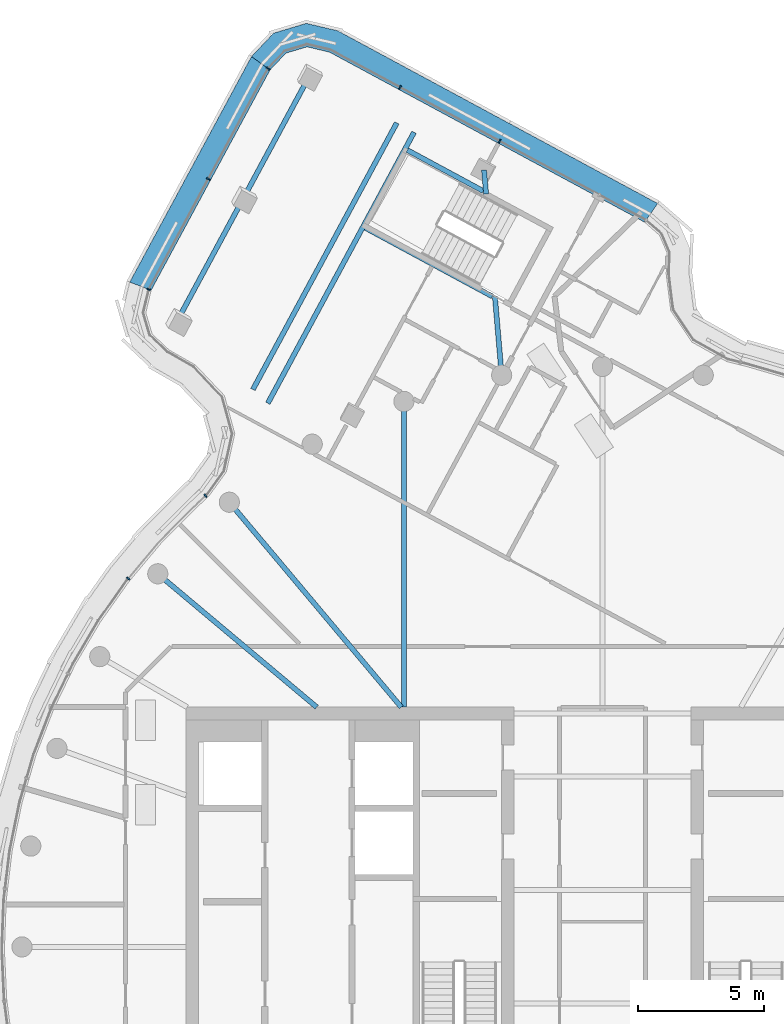
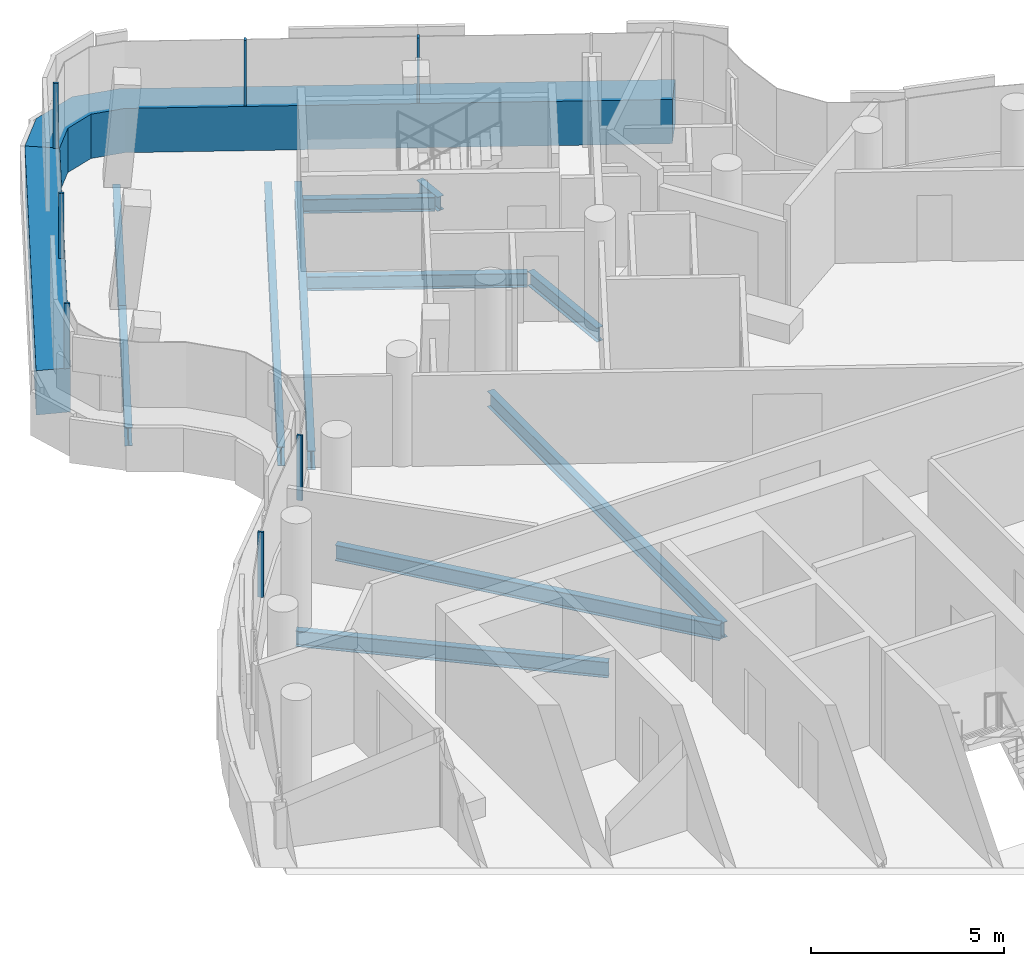
# One storey, part 9 of 22: 11 beams, 9 members, 3 elements without a shape of their own.
"""IFC4 building model written with IfcOpenShell, lengths in metres."""

from ifc_helpers import new_model, si_unit, direction, frame, origin, origin_2d, place, context, subcontext, project, spatial, polyline, rectangle, i_section, outline, extrude, material, layer, layer_set, material_profile, profile_set, type_object, element, aggregate, save


model = new_model("IFC4")

# Units and contexts
model_context = context("Model", 3, precision=1e-05, world=origin(), true_north=direction((0.0, 1.0)))
body_context = subcontext(model_context, "Body", "Model", "MODEL_VIEW")
ifc_project = project(units=[si_unit("LENGTHUNIT", "METRE"), si_unit("AREAUNIT", "SQUARE_METRE"), si_unit("VOLUMEUNIT", "CUBIC_METRE"), si_unit("PLANEANGLEUNIT", "RADIAN"), si_unit("MASSUNIT", "GRAM", prefix="KILO")], contexts=[model_context])

# Site, building, storey
site_placement = place(None, origin())
site = spatial("IfcSite", under=ifc_project, at=site_placement, CompositionType="ELEMENT")
building_placement = place(site_placement, origin())
building = spatial("IfcBuilding", under=site, at=building_placement, Name="Tamarind Cross Interchange Tower", CompositionType="ELEMENT")
storey_placement = place(building_placement, frame((0.0, 0.0, 256.800048828125)))
storey = spatial("IfcBuildingStorey", under=building, at=storey_placement, Name="L65", CompositionType="ELEMENT", Elevation=256.800048828125)

# Beams
ifc_material_1 = material(Name="Steel Q355B", Category="steel")
ifc_material_profile_1 = material_profile(ifc_material_1, i_section(OverallWidth=0.198974609375, OverallDepth=0.446044921875, WebThickness=0.008056640625, FlangeThickness=0.011962890625, FilletRadius=0.012939453125, at=origin_2d()), Name="HN 446x199x8x12")
ifc_profile_set_1 = profile_set([ifc_material_profile_1], Name="Steel Q355B")
beam_type_1 = type_object("IfcBeamType", Name="Composite beam HN 446x199x8x12 Q355B", PredefinedType="BEAM", material=ifc_profile_set_1)
beam_1_placement = place(storey_placement, frame((-4.69189453125, 30.7822265625, -0.363037109375), z_axis=(0.085726780451, -0.996318683511, 0.0), x_axis=(0.996318683511, 0.085726780451, 0.0)))
element("IfcBeam", 1, at=beam_1_placement, inside=storey, type_object=beam_type_1, Name="Beam N-linkemt0", PredefinedType="BEAM", context=body_context, shape_type="SweptSolid", body=[
    extrude(i_section(OverallWidth=0.198974609375, OverallDepth=0.446044921875, WebThickness=0.008056640625, FlangeThickness=0.011962890625, FilletRadius=0.012939453125, at=origin_2d()), origin(), (0.0, 0.0, 1.0), 0.956787109375),
])
beam_2_placement = place(storey_placement, frame((-4.26220703125, 25.77783203125, -0.363037109375), z_axis=(0.085484976665, -0.996339459604, 0.0), x_axis=(0.996339459604, 0.085484976665, 0.0)))
element("IfcBeam", 2, at=beam_2_placement, inside=storey, type_object=beam_type_1, Name="Beam N-linkemt1", PredefinedType="BEAM", context=body_context, shape_type="SweptSolid", body=[
    extrude(i_section(OverallWidth=0.198974609375, OverallDepth=0.446044921875, WebThickness=0.008056640625, FlangeThickness=0.011962890625, FilletRadius=0.012939453125, at=origin_2d()), origin(), (0.0, 0.0, 1.0), 3.138671875),
])
beam_3_placement = place(storey_placement, frame((-4.7197265625, 29.945068359375, -0.363037109375), z_axis=(-0.880012710367, 0.474950133796, 0.0), x_axis=(-0.474950133796, -0.880012710367, 0.0)))
element("IfcBeam", 3, at=beam_3_placement, inside=storey, type_object=beam_type_1, Name="Beam N-tr0s1", PredefinedType="BEAM", context=body_context, shape_type="SweptSolid", body=[
    extrude(i_section(OverallWidth=0.198974609375, OverallDepth=0.446044921875, WebThickness=0.008056640625, FlangeThickness=0.011962890625, FilletRadius=0.012939453125, at=origin_2d()), origin(), (0.0, 0.0, 1.0), 3.423583984375),
])
beam_4_placement = place(storey_placement, frame((-4.36181640625, 25.774658203125, -0.363037109375), z_axis=(-0.880014242981, 0.474947294077, 0.0), x_axis=(-0.474947294077, -0.880014242981, 0.0)))
element("IfcBeam", 4, at=beam_4_placement, inside=storey, type_object=beam_type_1, Name="Beam N-tr1s1", PredefinedType="BEAM", context=body_context, shape_type="SweptSolid", body=[
    extrude(i_section(OverallWidth=0.198974609375, OverallDepth=0.446044921875, WebThickness=0.008056640625, FlangeThickness=0.011962890625, FilletRadius=0.012939453125, at=origin_2d()), origin(), (0.0, 0.0, 1.0), 5.71923828125),
])
ifc_material_profile_2 = material_profile(ifc_material_1, i_section(OverallWidth=0.198974609375, OverallDepth=0.49609375, WebThickness=0.009033203125, FlangeThickness=0.013916015625, FilletRadius=0.012939453125, at=origin_2d()), Name="HN 496x199x9x14")
ifc_profile_set_2 = profile_set([ifc_material_profile_2], Name="Steel Q355B")
beam_type_2 = type_object("IfcBeamType", Name="Composite beam HN 496x199x9x14 Q355B", PredefinedType="BEAM", material=ifc_profile_set_2)
beam_5_placement = place(storey_placement, frame((-7.866455078125, 21.613037109375, -0.387939453125), z_axis=(0.0, -1.0, 0.0), x_axis=(1.0, 0.0, 0.0)))
element("IfcBeam", 5, at=beam_5_placement, inside=storey, type_object=beam_type_2, Name="Beam HH11", PredefinedType="BEAM", context=body_context, shape_type="SweptSolid", body=[
    extrude(i_section(OverallWidth=0.198974609375, OverallDepth=0.49609375, WebThickness=0.009033203125, FlangeThickness=0.013916015625, FilletRadius=0.012939453125, at=origin_2d()), origin(), (0.0, 0.0, 1.0), 12.113037109375),
])
beam_6_placement = place(storey_placement, frame((-14.7841796875, 17.619140625, -0.387939453125), z_axis=(0.642786293979, -0.766045547127, 0.0), x_axis=(0.766045547127, 0.642786293979, 0.0)))
element("IfcBeam", 6, at=beam_6_placement, inside=storey, type_object=beam_type_2, Name="Beam HH13", PredefinedType="BEAM", context=body_context, shape_type="SweptSolid", body=[
    extrude(i_section(OverallWidth=0.198974609375, OverallDepth=0.49609375, WebThickness=0.009033203125, FlangeThickness=0.013916015625, FilletRadius=0.012939453125, at=origin_2d()), origin(), (0.0, 0.0, 1.0), 10.598876953125),
])
beam_7_placement = place(storey_placement, frame((-17.619140625, 14.7841796875, -0.387939453125), z_axis=(0.766040580814, -0.642792212574, 0.0), x_axis=(0.642792212574, 0.766040580814, 0.0)))
element("IfcBeam", 7, at=beam_7_placement, inside=storey, type_object=beam_type_2, Name="Beam HH14", PredefinedType="BEAM", context=body_context, shape_type="SweptSolid", body=[
    extrude(i_section(OverallWidth=0.198974609375, OverallDepth=0.49609375, WebThickness=0.009033203125, FlangeThickness=0.013916015625, FilletRadius=0.012939453125, at=origin_2d()), origin(), (0.0, 0.0, 1.0), 8.220703125),
])
ifc_material_profile_3 = material_profile(ifc_material_1, i_section(OverallWidth=0.198974609375, OverallDepth=0.595947265625, WebThickness=0.010009765625, FlangeThickness=0.014892578125, FilletRadius=0.012939453125, at=origin_2d()), Name="HN 596x199x10x15")
ifc_profile_set_3 = profile_set([ifc_material_profile_3], Name="Steel Q355B")
beam_type_3 = type_object("IfcBeamType", Name="Composite beam HN 596x199x10x15 Q355B", PredefinedType="BEAM", material=ifc_profile_set_3)
beam_8_placement = place(storey_placement, frame((-11.607421875, 34.5146484375, -0.43798828125), z_axis=(-0.474978437468, -0.879997434053, 0.0), x_axis=(0.879997434053, -0.474978437468, 0.0)))
element("IfcBeam", 8, at=beam_8_placement, inside=storey, type_object=beam_type_3, Name="Beam N-tip0", PredefinedType="BEAM", context=body_context, shape_type="SweptSolid", body=[
    extrude(i_section(OverallWidth=0.198974609375, OverallDepth=0.595947265625, WebThickness=0.010009765625, FlangeThickness=0.014892578125, FilletRadius=0.012939453125, at=origin_2d()), origin(), (0.0, 0.0, 1.0), 5.499755859375),
])
beam_9_placement = place(storey_placement, frame((-14.2197265625, 29.6748046875, -0.43798828125), z_axis=(-0.474959883751, -0.880007448166, 0.0), x_axis=(0.880007448166, -0.474959883751, 0.0)))
element("IfcBeam", 9, at=beam_9_placement, inside=storey, type_object=beam_type_3, Name="Beam N-tip1", PredefinedType="BEAM", context=body_context, shape_type="SweptSolid", body=[
    extrude(i_section(OverallWidth=0.198974609375, OverallDepth=0.595947265625, WebThickness=0.010009765625, FlangeThickness=0.014892578125, FilletRadius=0.012939453125, at=origin_2d()), origin(), (0.0, 0.0, 1.0), 5.5),
])
beam_10_placement = place(storey_placement, frame((-7.4638671875, 32.2783203125, -0.43798828125), z_axis=(-0.474958672308, -0.880008102008, 0.0), x_axis=(0.880008102008, -0.474958672308, 0.0)))
element("IfcBeam", 10, at=beam_10_placement, inside=storey, type_object=beam_type_3, Name="Beam N-x334", PredefinedType="BEAM", context=body_context, shape_type="SweptSolid", body=[
    extrude(i_section(OverallWidth=0.198974609375, OverallDepth=0.595947265625, WebThickness=0.010009765625, FlangeThickness=0.014892578125, FilletRadius=0.012939453125, at=origin_2d()), origin(), (0.0, 0.0, 1.0), 12.201904296875),
])
beam_11_placement = place(storey_placement, frame((-8.149658203125, 32.6484375, -0.43798828125), z_axis=(-0.474958354283, -0.880008273652, 0.0), x_axis=(0.880008273652, -0.474958354283, 0.0)))
element("IfcBeam", 11, at=beam_11_placement, inside=storey, type_object=beam_type_3, Name="Beam N-x342", PredefinedType="BEAM", context=body_context, shape_type="SweptSolid", body=[
    extrude(i_section(OverallWidth=0.198974609375, OverallDepth=0.595947265625, WebThickness=0.010009765625, FlangeThickness=0.014892578125, FilletRadius=0.012939453125, at=origin_2d()), origin(), (0.0, 0.0, 1.0), 12.0029296875),
])

# Curtain wall, member
ifc_material_2 = material(Name="Aluminium 6063-T6", Category="aluminium")
ifc_layer_1 = layer(ifc_material_2, 0.139892578125)
ifc_layer_set_1 = layer_set([ifc_layer_1], Name="Aluminium 6063-T6")
curtain_wall_type_1 = type_object("IfcCurtainWallType", Name="Hotel curtain wall, 4.5 m bays", PredefinedType="NOTDEFINED", material=ifc_layer_set_1)
curtain_wall_1_placement = place(storey_placement, origin())
curtain_wall_1 = element("IfcCurtainWall", 12, at=curtain_wall_1_placement, inside=storey, type_object=curtain_wall_type_1, Name="CWS-L65-00", PredefinedType="NOTDEFINED")
ifc_material_3 = material(Name="Aluminium and insulated spandrel panel", Category="aluminium")
member_type_1 = type_object("IfcMemberType", Name="Floor-edge blade transom", PredefinedType="USERDEFINED", material=ifc_material_3)
member_1_placement = place(storey_placement, origin())
member_1 = element("IfcMember", 13, at=member_1_placement, type_object=member_type_1, Name="CWT-L65-00", ObjectType="TRANSOM", PredefinedType="USERDEFINED", context=body_context, shape_type="SweptSolid", body=[
    extrude(outline(polyline([(-13.17041015625, 34.745361328125), (-17.882568359375, 26.0146484375), (-18.730712890625, 26.337890625), (-13.90625, 35.277099609375), (-13.17041015625, 34.745361328125)])), origin(), (0.0, 0.0, 1.0), 1.39990234375),
])

curtain_wall_2_placement = place(storey_placement, origin())
curtain_wall_2 = element("IfcCurtainWall", 14, at=curtain_wall_2_placement, inside=storey, type_object=curtain_wall_type_1, Name="CWS-L65-02", PredefinedType="NOTDEFINED")
member_2_placement = place(storey_placement, origin())
member_2 = element("IfcMember", 15, at=member_2_placement, type_object=member_type_1, Name="CWT-L65-02", ObjectType="TRANSOM", PredefinedType="USERDEFINED", context=body_context, shape_type="SweptSolid", body=[
    extrude(outline(polyline([(1.67138671875, 28.71142578125), (-10.8134765625, 35.449951171875), (-11.7041015625, 35.661376953125), (-12.5419921875, 35.410888671875), (-13.17041015625, 34.745361328125), (-13.90625, 35.277099609375), (-13.03076171875, 36.2041015625), (-11.73095703125, 36.5927734375), (-10.490234375, 36.298095703125), (2.1875, 29.45556640625), (1.67138671875, 28.71142578125)])), origin(), (0.0, 0.0, 1.0), 1.39990234375),
])

# Member
ifc_material_profile_4 = material_profile(ifc_material_2, rectangle(XDim=0.06005859375, YDim=0.139892578125, at=origin_2d()), Name="Mullion CW2")
ifc_profile_set_4 = profile_set([ifc_material_profile_4], Name="Aluminium 6063-T6")
member_type_2 = type_object("IfcMemberType", Name="Mullion CW2", PredefinedType="MULLION", material=ifc_profile_set_4)
member_3_placement = place(storey_placement, frame((-13.252197265625, 34.804443359375, 1.39990234375), z_axis=(0.0, 0.0, 1.0), x_axis=(-0.585761433112, -0.810483524495, 0.0)))
member_3 = element("IfcMember", 16, at=member_3_placement, type_object=member_type_2, Name="CWM-L65-00-00", PredefinedType="MULLION", context=body_context, shape_type="SweptSolid", body=[
    extrude(rectangle(XDim=0.06005859375, YDim=0.139892578125, at=origin_2d()), origin(), (0.0, 0.0, 1.0), 2.06005859375),
])

member_4_placement = place(storey_placement, frame((-15.614501953125, 30.427490234375, 1.39990234375), z_axis=(0.0, 0.0, 1.0), x_axis=(-0.474960834541, -0.880006935002, 0.0)))
member_4 = element("IfcMember", 17, at=member_4_placement, type_object=member_type_2, Name="CWM-L65-00-01", PredefinedType="MULLION", context=body_context, shape_type="SweptSolid", body=[
    extrude(rectangle(XDim=0.06005859375, YDim=0.139892578125, at=origin_2d()), origin(), (0.0, 0.0, 1.0), 2.06005859375),
])

aggregate(curtain_wall_1, [member_3, member_4, member_1])

member_5_placement = place(storey_placement, frame((-4.073974609375, 31.926025390625, 1.39990234375), z_axis=(0.0, 0.0, 1.0), x_axis=(-0.880006935002, 0.474960834541, 0.0)))
member_5 = element("IfcMember", 18, at=member_5_placement, type_object=member_type_2, Name="CWM-L65-02-02", PredefinedType="MULLION", context=body_context, shape_type="SweptSolid", body=[
    extrude(rectangle(XDim=0.06005859375, YDim=0.139892578125, at=origin_2d()), origin(), (0.0, 0.0, 1.0), 2.06005859375),
])

member_6_placement = place(storey_placement, frame((-8.020751953125, 34.05615234375, 1.39990234375), z_axis=(0.0, 0.0, 1.0), x_axis=(-0.880006935002, 0.474960834541, 0.0)))
member_6 = element("IfcMember", 19, at=member_6_placement, type_object=member_type_2, Name="CWM-L65-02-03", PredefinedType="MULLION", context=body_context, shape_type="SweptSolid", body=[
    extrude(rectangle(XDim=0.06005859375, YDim=0.139892578125, at=origin_2d()), origin(), (0.0, 0.0, 1.0), 2.06005859375),
])

aggregate(curtain_wall_2, [member_5, member_6, member_2])

# Curtain wall, members
ifc_layer_2 = layer(ifc_material_2, 0.14990234375)
ifc_layer_set_2 = layer_set([ifc_layer_2], Name="Aluminium 6063-T6")
curtain_wall_type_2 = type_object("IfcCurtainWallType", Name="Winter garden and crown curtain wall", PredefinedType="NOTDEFINED", material=ifc_layer_set_2)
curtain_wall_3_placement = place(storey_placement, origin())
curtain_wall_3 = element("IfcCurtainWall", 20, at=curtain_wall_3_placement, inside=storey, type_object=curtain_wall_type_2, Name="CWS-L65-01", PredefinedType="NOTDEFINED")
ifc_material_profile_5 = material_profile(ifc_material_2, rectangle(XDim=0.06005859375, YDim=0.14990234375, at=origin_2d()), Name="Mullion CW6")
ifc_profile_set_5 = profile_set([ifc_material_profile_5], Name="Aluminium 6063-T6")
member_type_3 = type_object("IfcMemberType", Name="Mullion CW6", PredefinedType="MULLION", material=ifc_profile_set_5)
member_7_placement = place(storey_placement, frame((-17.976806640625, 26.050537109375, 1.39990234375), z_axis=(0.0, 0.0, 1.0), x_axis=(-0.356033524406, -0.934473182868, 0.0)))
member_7 = element("IfcMember", 21, at=member_7_placement, type_object=member_type_3, Name="CWM-L65-01-00", PredefinedType="MULLION", context=body_context, shape_type="SweptSolid", body=[
    extrude(rectangle(XDim=0.06005859375, YDim=0.14990234375, at=origin_2d()), origin(), (0.0, 0.0, 1.0), 2.06005859375),
])
member_8_placement = place(storey_placement, frame((-15.729248046875, 17.874267578125, 1.39990234375), z_axis=(0.0, 0.0, 1.0), x_axis=(-0.727249737755, -0.686372944495, 0.0)))
member_8 = element("IfcMember", 22, at=member_8_placement, type_object=member_type_3, Name="CWM-L65-01-01", PredefinedType="MULLION", context=body_context, shape_type="SweptSolid", body=[
    extrude(rectangle(XDim=0.06005859375, YDim=0.14990234375, at=origin_2d()), origin(), (0.0, 0.0, 1.0), 2.06005859375),
])
member_9_placement = place(storey_placement, frame((-18.79052734375, 14.5947265625, 1.39990234375), z_axis=(0.0, 0.0, 1.0), x_axis=(-0.643009266048, -0.765858396687, 0.0)))
member_9 = element("IfcMember", 23, at=member_9_placement, type_object=member_type_3, Name="CWM-L65-01-02", PredefinedType="MULLION", context=body_context, shape_type="SweptSolid", body=[
    extrude(rectangle(XDim=0.06005859375, YDim=0.14990234375, at=origin_2d()), origin(), (0.0, 0.0, 1.0), 2.06005859375),
])
aggregate(curtain_wall_3, [member_7, member_8, member_9])

save(model, "model.ifc")
